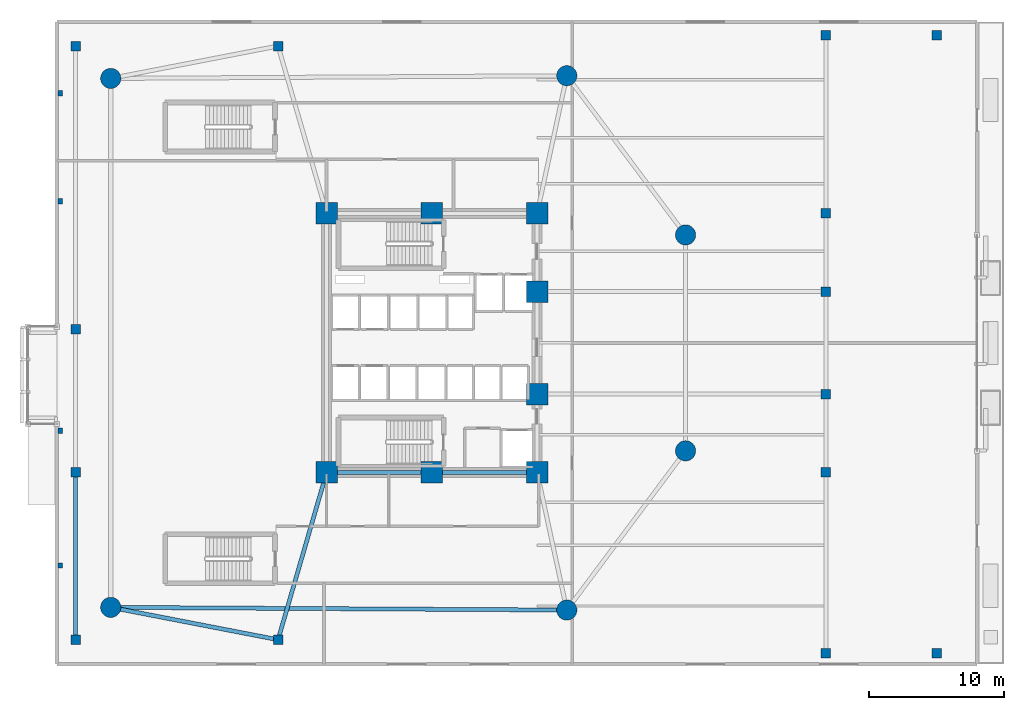
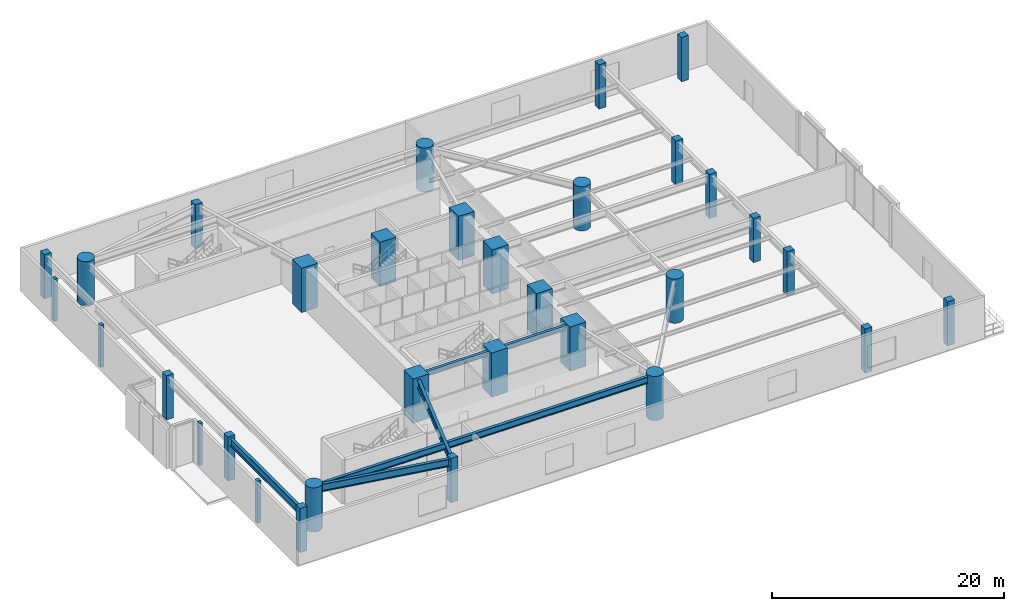
# One storey, part 1 of 16: 32 columns, 5 beams.
"""IFC4 building model written with IfcOpenShell, lengths in metres."""

from ifc_helpers import new_model, si_unit, direction, frame, origin, origin_2d, place, context, subcontext, project, spatial, rectangle, circle, i_section, extrude, material, material_profile, profile_set, type_object, element, save


model = new_model("IFC4")

# Units and contexts
model_context = context("Model", 3, precision=1e-05, world=origin(), true_north=direction((0.0, 1.0)))
body_context = subcontext(model_context, "Body", "Model", "MODEL_VIEW")
ifc_project = project(units=[si_unit("LENGTHUNIT", "METRE"), si_unit("AREAUNIT", "SQUARE_METRE"), si_unit("VOLUMEUNIT", "CUBIC_METRE"), si_unit("PLANEANGLEUNIT", "RADIAN"), si_unit("MASSUNIT", "GRAM", prefix="KILO")], contexts=[model_context])

# Site, building, storey
site_placement = place(None, origin())
site = spatial("IfcSite", under=ifc_project, at=site_placement, CompositionType="ELEMENT")
building_placement = place(site_placement, origin())
building = spatial("IfcBuilding", under=site, at=building_placement, Name="An Khanh Terracotta Commons", CompositionType="ELEMENT")
storey_placement = place(building_placement, frame((0.0, 0.0, 10.050048828125)))
storey = spatial("IfcBuildingStorey", under=building, at=storey_placement, Name="L03", CompositionType="ELEMENT", Elevation=10.050048828125)

# Columns
ifc_material_1 = material(Name="Concrete C70/85", Category="concrete")
ifc_material_profile_1 = material_profile(ifc_material_1, circle(Radius=0.75, at=origin_2d()), Name="CFST1500")
ifc_profile_set_1 = profile_set([ifc_material_profile_1], Name="Concrete C70/85")
column_type_1 = type_object("IfcColumnType", Name="COL-CFST1500", PredefinedType="COLUMN", material=ifc_profile_set_1)
for number, where, z_axis, x_axis, name in (
    (1, (5.60009765625, 4.39990234375, 0.0), (0.0, 0.0, 1.0), (1.0, 0.0, 0.0), "L03 Mega-Column MC-01"),
    (2, (39.39990234375, 4.199951171875, 0.0), (0.0, 0.0, 1.0), (1.0, 0.0, 0.0), "L03 Mega-Column MC-02"),
    (3, (48.199951171875, 16.0, 0.0), (0.0, 0.0, 1.0), (1.0, 0.0, 0.0), "L03 Mega-Column MC-03"),
    (4, (48.199951171875, 32.0, 0.0), (0.0, 0.0, 1.0), (1.0, 0.0, 0.0), "L03 Mega-Column MC-04"),
    (5, (39.39990234375, 43.800048828125, 0.0), (0.0, 0.0, 1.0), (1.0, 0.0, 0.0), "L03 Mega-Column MC-05"),
    (6, (5.60009765625, 43.60009765625, 0.0), (0.0, 0.0, 1.0), (1.0, 0.0, 0.0), "L03 Mega-Column MC-06"),
):
    element("IfcColumn", number, at=place(storey_placement, frame(where, z_axis=z_axis, x_axis=x_axis)), inside=storey, type_object=column_type_1, Name=name, PredefinedType="COLUMN", context=body_context, shape_type="SweptSolid", body=[
        extrude(circle(Radius=0.75, at=origin_2d()), origin(), (0.0, 0.0, 1.0), 4.64990234375),
    ])
ifc_material_profile_2 = material_profile(ifc_material_1, rectangle(XDim=1.60009765625, YDim=1.60009765625, at=origin_2d()), Name="RC1600x1600")
ifc_profile_set_2 = profile_set([ifc_material_profile_2], Name="Concrete C70/85")
column_type_2 = type_object("IfcColumnType", Name="COL-RC1600x1600", PredefinedType="COLUMN", material=ifc_profile_set_2)
for number, where, z_axis, x_axis, name in (
    (7, (21.60009765625, 14.39990234375, 0.0), (0.0, 0.0, 1.0), (1.0, 0.0, 0.0), "L03 Core Boundary Column CC-01"),
    (8, (29.39990234375, 14.39990234375, 0.0), (0.0, 0.0, 1.0), (1.0, 0.0, 0.0), "L03 Core Boundary Column CC-02"),
    (9, (37.199951171875, 14.39990234375, 0.0), (0.0, 0.0, 1.0), (1.0, 0.0, 0.0), "L03 Core Boundary Column CC-03"),
    (10, (37.199951171875, 20.199951171875, 0.0), (0.0, 0.0, 1.0), (1.0, 0.0, 0.0), "L03 Core Boundary Column CC-04"),
    (11, (37.199951171875, 27.800048828125, 0.0), (0.0, 0.0, 1.0), (1.0, 0.0, 0.0), "L03 Core Boundary Column CC-05"),
    (12, (37.199951171875, 33.60009765625, 0.0), (0.0, 0.0, 1.0), (1.0, 0.0, 0.0), "L03 Core Boundary Column CC-06"),
    (13, (29.39990234375, 33.60009765625, 0.0), (0.0, 0.0, 1.0), (1.0, 0.0, 0.0), "L03 Core Boundary Column CC-07"),
    (14, (21.60009765625, 33.60009765625, 0.0), (0.0, 0.0, 1.0), (1.0, 0.0, 0.0), "L03 Core Boundary Column CC-08"),
):
    element("IfcColumn", number, at=place(storey_placement, frame(where, z_axis=z_axis, x_axis=x_axis)), inside=storey, type_object=column_type_2, Name=name, PredefinedType="COLUMN", context=body_context, shape_type="SweptSolid", body=[
        extrude(rectangle(XDim=1.60009765625, YDim=1.60009765625, at=origin_2d()), origin(), (0.0, 0.0, 1.0), 4.64990234375),
    ])
ifc_material_2 = material(Name="Concrete C50/60", Category="concrete")
ifc_material_profile_3 = material_profile(ifc_material_2, rectangle(XDim=0.699951171875, YDim=0.699951171875, at=origin_2d()), Name="RC700x700")
ifc_profile_set_3 = profile_set([ifc_material_profile_3], Name="Concrete C50/60")
column_type_3 = type_object("IfcColumnType", Name="COL-RC700x700", PredefinedType="COLUMN", material=ifc_profile_set_3)
for number, where, z_axis, x_axis, name in (
    (15, (3.0, 2.0, 0.0), (0.0, 0.0, 1.0), (1.0, 0.0, 0.0), "L03 Podium Column PC-01"),
    (16, (18.0, 2.0, 0.0), (0.0, 0.0, 1.0), (1.0, 0.0, 0.0), "L03 Podium Column PC-02"),
    (17, (58.60009765625, 1.0, 0.0), (0.0, 0.0, 1.0), (1.0, 0.0, 0.0), "L03 Podium Column PC-03"),
    (18, (58.60009765625, 46.800048828125, 0.0), (0.0, 0.0, 1.0), (1.0, 0.0, 0.0), "L03 Podium Column PC-09"),
    (19, (18.0, 46.0, 0.0), (0.0, 0.0, 1.0), (1.0, 0.0, 0.0), "L03 Podium Column PC-10"),
    (20, (3.0, 46.0, 0.0), (0.0, 0.0, 1.0), (1.0, 0.0, 0.0), "L03 Podium Column PC-11"),
    (21, (3.0, 14.39990234375, 0.0), (0.0, 0.0, 1.0), (1.0, 0.0, 0.0), "L03 Podium Column PC-12"),
    (22, (3.0, 25.0, 0.0), (0.0, 0.0, 1.0), (1.0, 0.0, 0.0), "L03 Podium Column PC-17"),
    (23, (58.60009765625, 20.199951171875, 0.0), (0.0, 0.0, 1.0), (1.0, 0.0, 0.0), "L03 Podium Column PC-13"),
    (24, (58.60009765625, 27.800048828125, 0.0), (0.0, 0.0, 1.0), (1.0, 0.0, 0.0), "L03 Podium Column PC-14"),
    (25, (58.60009765625, 14.39990234375, 0.0), (0.0, 0.0, 1.0), (1.0, 0.0, 0.0), "L03 Podium Column PC-18"),
    (26, (58.60009765625, 33.60009765625, 0.0), (0.0, 0.0, 1.0), (1.0, 0.0, 0.0), "L03 Podium Column PC-19"),
    (27, (66.800048828125, 1.0, 0.0), (0.0, 0.0, 1.0), (1.0, 0.0, 0.0), "L03 Podium Column PC-15"),
    (28, (66.800048828125, 46.800048828125, 0.0), (0.0, 0.0, 1.0), (1.0, 0.0, 0.0), "L03 Podium Column PC-16"),
):
    element("IfcColumn", number, at=place(storey_placement, frame(where, z_axis=z_axis, x_axis=x_axis)), inside=storey, type_object=column_type_3, Name=name, PredefinedType="COLUMN", context=body_context, shape_type="SweptSolid", body=[
        extrude(rectangle(XDim=0.699951171875, YDim=0.699951171875, at=origin_2d()), origin(), (0.0, 0.0, 1.0), 4.64990234375),
    ])
ifc_material_profile_4 = material_profile(ifc_material_2, rectangle(XDim=0.35009765625, YDim=0.39990234375, at=origin_2d()), Name="RC400x350")
ifc_profile_set_4 = profile_set([ifc_material_profile_4], Name="Concrete C50/60")
column_type_4 = type_object("IfcColumnType", Name="PIL-RC400x350", PredefinedType="PILASTER", material=ifc_profile_set_4)
for number, where, z_axis, x_axis, name in (
    (29, (1.85009765625, 7.5, 0.0), (0.0, 0.0, 1.0), (1.0, 0.0, 0.0), "L03 Boulevard Arcade Pilaster 1"),
    (30, (1.85009765625, 17.5, 0.0), (0.0, 0.0, 1.0), (1.0, 0.0, 0.0), "L03 Boulevard Arcade Pilaster 2"),
    (31, (1.85009765625, 34.5, 0.0), (0.0, 0.0, 1.0), (1.0, 0.0, 0.0), "L03 Boulevard Arcade Pilaster 3"),
    (32, (1.85009765625, 42.5, 0.0), (0.0, 0.0, 1.0), (1.0, 0.0, 0.0), "L03 Boulevard Arcade Pilaster 4"),
):
    element("IfcColumn", number, at=place(storey_placement, frame(where, z_axis=z_axis, x_axis=x_axis)), inside=storey, type_object=column_type_4, Name=name, PredefinedType="PILASTER", context=body_context, shape_type="SweptSolid", body=[
        extrude(rectangle(XDim=0.35009765625, YDim=0.39990234375, at=origin_2d()), origin(), (0.0, 0.0, 1.0), 4.429931640625),
    ])

# Beams
ifc_material_3 = material(Name="Steel S355J2", Category="steel")
ifc_material_profile_5 = material_profile(ifc_material_3, i_section(OverallWidth=0.300048828125, OverallDepth=0.5, WebThickness=0.014404296875, FlangeThickness=0.028076171875, FilletRadius=0.027099609375, at=origin_2d()), Name="HEB500")
ifc_profile_set_5 = profile_set([ifc_material_profile_5], Name="Steel S355J2")
beam_type_1 = type_object("IfcBeamType", Name="BM-HEB500", PredefinedType="BEAM", material=ifc_profile_set_5)
beam_1_placement = place(storey_placement, frame((21.60009765625, 14.39990234375, 4.179931640625), z_axis=(1.0, 0.0, 0.0), x_axis=(0.0, 1.0, 0.0)))
element("IfcBeam", 33, at=beam_1_placement, inside=storey, type_object=beam_type_1, Name="L03 Core South Coupling Girder", PredefinedType="BEAM", context=body_context, shape_type="SweptSolid", body=[
    extrude(i_section(OverallWidth=0.300048828125, OverallDepth=0.5, WebThickness=0.014404296875, FlangeThickness=0.028076171875, FilletRadius=0.027099609375, at=origin_2d()), origin(), (0.0, 0.0, 1.0), 15.599853515625),
])
ifc_material_profile_6 = material_profile(ifc_material_3, i_section(OverallWidth=0.300048828125, OverallDepth=0.699951171875, WebThickness=0.01708984375, FlangeThickness=0.031982421875, FilletRadius=0.027099609375, at=origin_2d()), Name="HEB700")
ifc_profile_set_6 = profile_set([ifc_material_profile_6], Name="Steel S355J2")
beam_type_2 = type_object("IfcBeamType", Name="BM-HEB700", PredefinedType="BEAM", material=ifc_profile_set_6)
beam_2_placement = place(storey_placement, frame((5.60009765625, 4.39990234375, 4.079833984375), z_axis=(0.999982502414, -0.005915645817, 0.0), x_axis=(0.005915645817, 0.999982502414, 0.0)))
element("IfcBeam", 34, at=beam_2_placement, inside=storey, type_object=beam_type_2, Name="L03 Podium Mega-Ring Girder 1", PredefinedType="BEAM", context=body_context, shape_type="SweptSolid", body=[
    extrude(i_section(OverallWidth=0.300048828125, OverallDepth=0.699951171875, WebThickness=0.01708984375, FlangeThickness=0.031982421875, FilletRadius=0.027099609375, at=origin_2d()), origin(), (0.0, 0.0, 1.0), 33.80029296875),
])
ifc_material_profile_7 = material_profile(ifc_material_3, i_section(OverallWidth=0.300048828125, OverallDepth=0.800048828125, WebThickness=0.017578125, FlangeThickness=0.032958984375, FilletRadius=0.030029296875, at=origin_2d()), Name="HEB800")
ifc_profile_set_7 = profile_set([ifc_material_profile_7], Name="Steel S355J2")
beam_type_3 = type_object("IfcBeamType", Name="BM-HEB800", PredefinedType="BEAM", material=ifc_profile_set_7)
beam_3_placement = place(storey_placement, frame((3.0, 2.0, 4.030029296875), z_axis=(0.0, 1.0, 0.0), x_axis=(-1.0, 0.0, 0.0)))
element("IfcBeam", 35, at=beam_3_placement, inside=storey, type_object=beam_type_3, Name="L03 Primary Podium Girder 1", PredefinedType="BEAM", context=body_context, shape_type="SweptSolid", body=[
    extrude(i_section(OverallWidth=0.300048828125, OverallDepth=0.800048828125, WebThickness=0.017578125, FlangeThickness=0.032958984375, FilletRadius=0.030029296875, at=origin_2d()), origin(), (0.0, 0.0, 1.0), 12.39990234375),
])
beam_4_placement = place(storey_placement, frame((5.60009765625, 4.39990234375, 4.030029296875), z_axis=(0.981781013874, -0.190015896168, 0.0), x_axis=(0.190015896168, 0.981781013874, 0.0)))
element("IfcBeam", 36, at=beam_4_placement, inside=storey, type_object=beam_type_3, Name="L03 Primary Podium Girder 4", PredefinedType="BEAM", context=body_context, shape_type="SweptSolid", body=[
    extrude(i_section(OverallWidth=0.300048828125, OverallDepth=0.800048828125, WebThickness=0.017578125, FlangeThickness=0.032958984375, FilletRadius=0.030029296875, at=origin_2d()), origin(), (0.0, 0.0, 1.0), 12.630126953125),
])
beam_5_placement = place(storey_placement, frame((18.0, 2.0, 4.030029296875), z_axis=(0.278819195264, 0.960343613689, 0.0), x_axis=(-0.960343613689, 0.278819195264, 0.0)))
element("IfcBeam", 37, at=beam_5_placement, inside=storey, type_object=beam_type_3, Name="L03 Primary Podium Girder 5", PredefinedType="BEAM", context=body_context, shape_type="SweptSolid", body=[
    extrude(i_section(OverallWidth=0.300048828125, OverallDepth=0.800048828125, WebThickness=0.017578125, FlangeThickness=0.032958984375, FilletRadius=0.030029296875, at=origin_2d()), origin(), (0.0, 0.0, 1.0), 12.911865234375),
])

save(model, "model.ifc")
